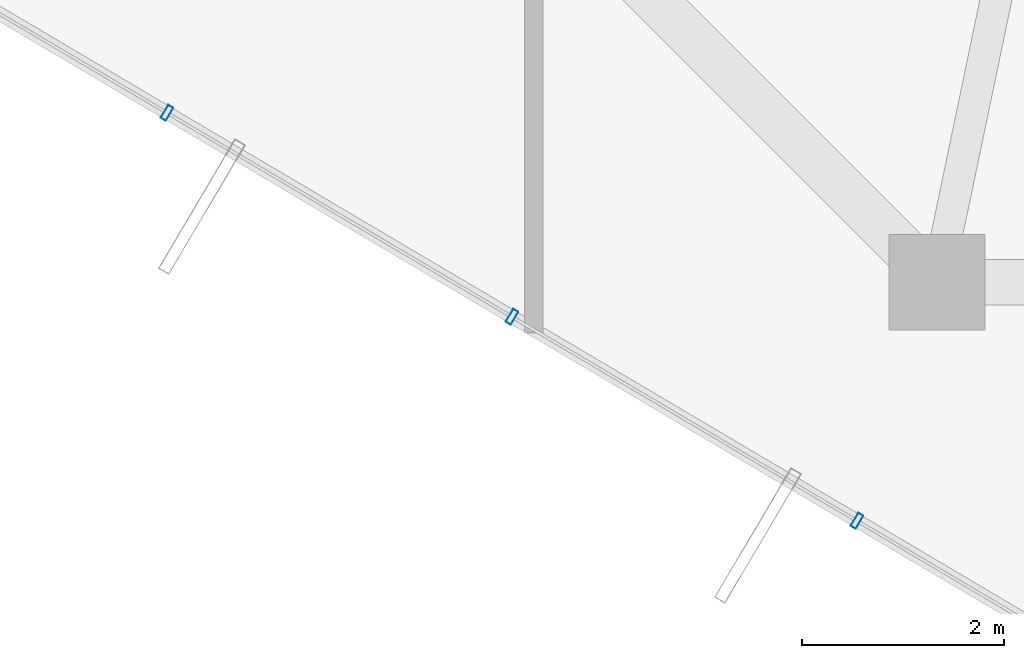
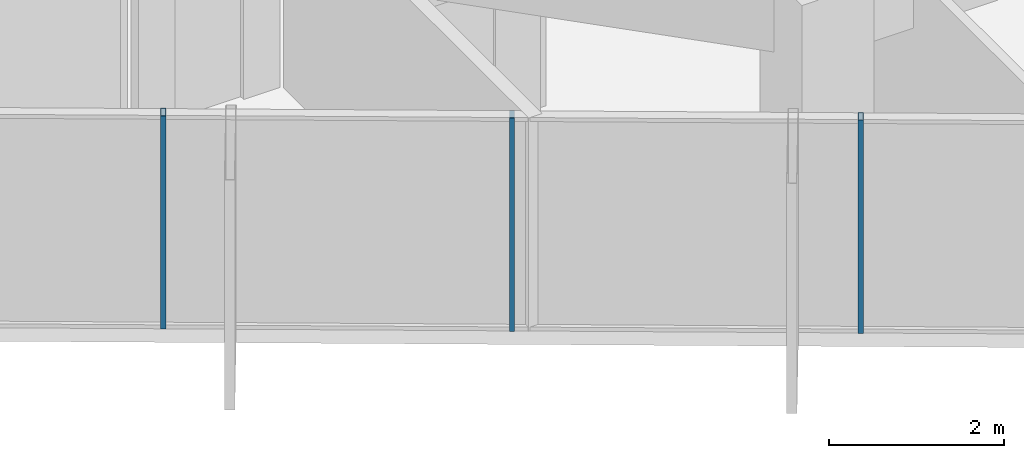
# One storey, part 2 of 30: 3 members, 1 element without a shape of its own.
"""IFC4 building model written with IfcOpenShell, lengths in metres."""

from ifc_helpers import new_model, si_unit, direction, frame, origin, origin_2d, place, context, subcontext, project, spatial, hollow_rectangle, extrude, source, transform, mapped, material, layer, layer_set, material_profile, profile_set, type_object, element, aggregate, save


model = new_model("IFC4")

# Units and contexts
model_context = context("Model", 3, precision=1e-05, world=origin(), true_north=direction((0.0, 1.0)))
body_context = subcontext(model_context, "Body", "Model", "MODEL_VIEW")
ifc_project = project(units=[si_unit("LENGTHUNIT", "METRE"), si_unit("AREAUNIT", "SQUARE_METRE"), si_unit("VOLUMEUNIT", "CUBIC_METRE"), si_unit("PLANEANGLEUNIT", "RADIAN"), si_unit("MASSUNIT", "GRAM", prefix="KILO")], contexts=[model_context])

# Site, building, storey
site_placement = place(None, origin())
site = spatial("IfcSite", under=ifc_project, at=site_placement, CompositionType="ELEMENT")
building_placement = place(site_placement, origin())
building = spatial("IfcBuilding", under=site, at=building_placement, Name="Veraguas Prism Commons", CompositionType="ELEMENT")
storey_placement = place(building_placement, frame((0.0, 0.0, 208.10009765625)))
storey = spatial("IfcBuildingStorey", under=building, at=storey_placement, Name="L59", CompositionType="ELEMENT", Elevation=208.10009765625)

# Curtain wall, members
ifc_material = material(Name="Anodised aluminium EN AW-6063 T6", Category="aluminium")
ifc_layer = layer(ifc_material, 0.14990234375, Name="Unitised Flush Curtain Wall Zone 3", Category="aluminium")
ifc_layer_set = layer_set([ifc_layer], Name="Anodised aluminium EN AW-6063 T6")
curtain_wall_type = type_object("IfcCurtainWallType", Name="Unitised Flush Curtain Wall Zone 3", PredefinedType="NOTDEFINED", material=ifc_layer_set)
curtain_wall_placement = place(storey_placement, origin())
curtain_wall = element("IfcCurtainWall", 1, at=curtain_wall_placement, inside=storey, type_object=curtain_wall_type, Name="Tower Facade Curtain Wall L59-F4", PredefinedType="NOTDEFINED")
ifc_material_profile = material_profile(ifc_material, hollow_rectangle(XDim=0.06005859375, YDim=0.14990234375, WallThickness=0.0029296875, at=origin_2d()), Name="AL60X150X3")
ifc_profile_set = profile_set([ifc_material_profile], Name="Anodised aluminium EN AW-6063 T6")
member_type = type_object("IfcMemberType", Name="Curtain Wall Mullion Upper AL 60x150x3", PredefinedType="MULLION", material=ifc_profile_set)
shared_shape = source(origin(), body_context, "Body", "SweptSolid", [
    extrude(hollow_rectangle(XDim=0.06005859375, YDim=0.14990234375, WallThickness=0.0029296875, at=origin_2d()), origin(), (0.0, 0.0, 1.0), 2.969970703125),
])
member_1_placement = place(storey_placement, frame((11.562744140625, 10.77978515625, 0.0), z_axis=(0.0, 0.0, 1.0), x_axis=(0.860741138558, -0.509042918028, 0.0)))
member_1 = element("IfcMember", 2, at=member_1_placement, type_object=member_type, Name="CW-Z3 Mullion 2", PredefinedType="MULLION", context=body_context, shape_type="MappedRepresentation", body=[
    mapped(shared_shape, transform((0.0, 0.0, 0.0), scale=1.0)),
])
member_2_placement = place(storey_placement, frame((14.98486328125, 8.756103515625, 0.0), z_axis=(0.0, 0.0, 1.0), x_axis=(0.860741138558, -0.509042918028, 0.0)))
member_2 = element("IfcMember", 3, at=member_2_placement, type_object=member_type, Name="CW-Z3 Mullion 3", PredefinedType="MULLION", context=body_context, shape_type="MappedRepresentation", body=[
    mapped(shared_shape, transform((0.0, 0.0, 0.0), scale=1.0)),
])
member_3_placement = place(storey_placement, frame((18.40673828125, 6.732177734375, 0.0), z_axis=(0.0, 0.0, 1.0), x_axis=(0.860741138558, -0.509042918028, 0.0)))
member_3 = element("IfcMember", 4, at=member_3_placement, type_object=member_type, Name="CW-Z3 Mullion 4", PredefinedType="MULLION", context=body_context, shape_type="MappedRepresentation", body=[
    mapped(shared_shape, transform((0.0, 0.0, 0.0), scale=1.0)),
])
aggregate(curtain_wall, [member_1, member_2, member_3])

save(model, "model.ifc")
